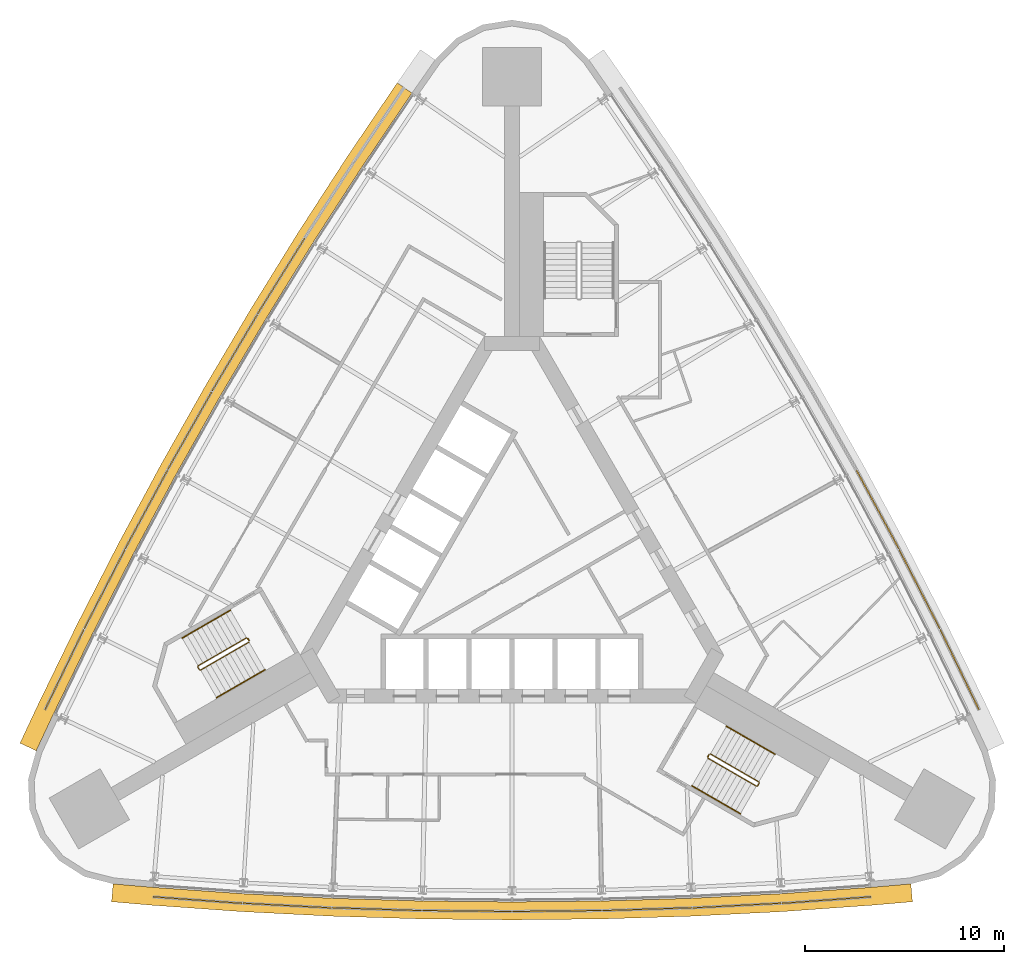
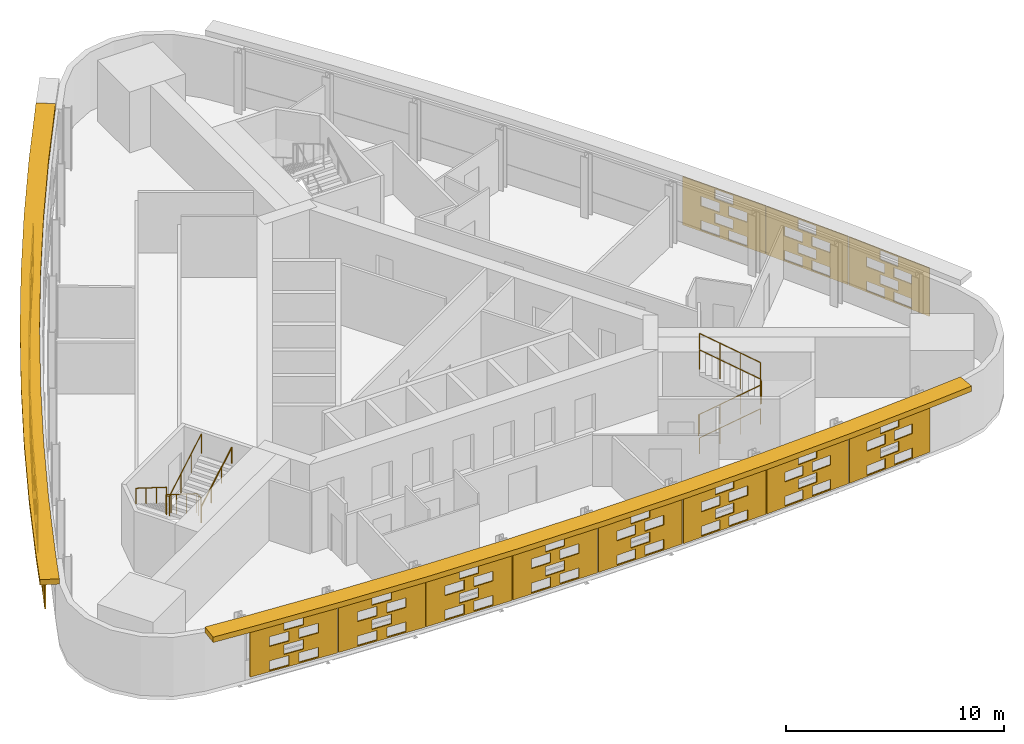
# One storey, part 10 of 11: 19 shading devices, 6 railings.
"""IFC4 building model written with IfcOpenShell, lengths in metres."""

import ifcopenshell
import ifcopenshell.guid

model = None  # the IFC model being written
_history = None  # IfcOwnerHistory: only IFC2X3 demands one
_inside = {}  # id of a spatial element -> (the spatial element, [elements in it])
_under = {}  # id of a project, library or spatial element -> (it, [spatial elements below it])
_declared = {}  # id of a project -> (the project, [libraries it declares])
_typed = {}  # id of a type object -> (the type object, [elements of that type])
_made_of = {}  # id of a material, layer set ... -> (it, [elements and type objects made of it])


def new_model(schema):
    """Start an empty IFC model of exactly this schema.

    Asked for "IFC4X3", IfcOpenShell would pick the latest addendum, in which some entities
    have other attributes; the version numbers below select the first issue.
    IFC2X3 requires an IfcOwnerHistory on every rooted entity: one is made here for all.
    """
    global model, _history
    if schema == "IFC4X3":
        model = ifcopenshell.file(schema_version=(4, 3, 0, 0))
    else:
        model = ifcopenshell.file(schema=schema)
    _inside.clear()
    _under.clear()
    _declared.clear()
    _typed.clear()
    _made_of.clear()
    _history = None
    if model.schema == "IFC2X3":
        org = make("IfcOrganization", Name="unknown")
        user = make(
            "IfcPersonAndOrganization",
            ThePerson=make("IfcPerson", FamilyName="unknown"),
            TheOrganization=org,
        )
        app = make(
            "IfcApplication",
            ApplicationDeveloper=org,
            Version="unknown",
            ApplicationFullName="unknown",
            ApplicationIdentifier="unknown",
        )
        _history = make(
            "IfcOwnerHistory",
            OwningUser=user,
            OwningApplication=app,
            ChangeAction="ADDED",
            CreationDate=0,
        )
    return model


def make(cls, **values):
    """One entity of the class cls with the attributes given. An attribute that is None is left unset."""
    return model.create_entity(
        cls, **{name: value for name, value in values.items() if value is not None}
    )


def rooted(cls, **values):
    """An entity with a GlobalId (a new one), such as an element, a storey or a relation."""
    return make(cls, GlobalId=ifcopenshell.guid.new(), OwnerHistory=_history, **values)


def si_unit(unit_type, name, prefix=None):
    """IfcSIUnit, for example si_unit("LENGTHUNIT", "METRE", prefix="MILLI")."""
    return make("IfcSIUnit", UnitType=unit_type, Prefix=prefix, Name=name)


def assignment(units):
    """IfcUnitAssignment: the units of a project."""
    return None if units is None else make("IfcUnitAssignment", Units=units)


def point(xyz):
    """IfcCartesianPoint."""
    return None if xyz is None else make("IfcCartesianPoint", Coordinates=xyz)


def direction(xyz):
    """IfcDirection."""
    return None if xyz is None else make("IfcDirection", DirectionRatios=xyz)


def frame(location, z_axis=None, x_axis=None):
    """IfcAxis2Placement3D, a coordinate frame: its origin and axes. An axis left out is left unset."""
    return make(
        "IfcAxis2Placement3D",
        Location=point(location),
        Axis=direction(z_axis),
        RefDirection=direction(x_axis),
    )


def frame_2d(location, x_axis=None):
    """IfcAxis2Placement2D, a coordinate frame in the plane: its origin and x axis."""
    return make(
        "IfcAxis2Placement2D", Location=point(location), RefDirection=direction(x_axis)
    )


def origin():
    """The frame at (0, 0, 0) with its axes left unset."""
    return frame((0.0, 0.0, 0.0))


def origin_2d():
    """The frame at (0, 0) in the plane with its x axis left unset."""
    return frame_2d((0.0, 0.0))


def place(relative_to, where):
    """IfcLocalPlacement: puts the frame where relative to a parent placement (None: the world)."""
    return make(
        "IfcLocalPlacement", PlacementRelTo=relative_to, RelativePlacement=where
    )


def context(
    kind, dimensions, precision=None, world=None, true_north=None, identifier=None
):
    """IfcGeometricRepresentationContext, for example the 3D "Model" context."""
    return make(
        "IfcGeometricRepresentationContext",
        ContextIdentifier=identifier,
        ContextType=kind,
        CoordinateSpaceDimension=dimensions,
        Precision=precision,
        WorldCoordinateSystem=world,
        TrueNorth=true_north,
    )


def subcontext(parent, identifier, kind, view, scale=None):
    """IfcGeometricRepresentationSubContext, for example "Body" below "Model"."""
    return make(
        "IfcGeometricRepresentationSubContext",
        ContextIdentifier=identifier,
        ContextType=kind,
        ParentContext=parent,
        TargetScale=scale,
        TargetView=view,
    )


def project(units=None, contexts=None):
    """IfcProject with its units and contexts."""
    return rooted(
        "IfcProject",
        Name="project",
        RepresentationContexts=contexts,
        UnitsInContext=assignment(units),
    )


def spatial(cls, under=None, at=None, **own):
    """A site, building, storey or space (cls), placed at a placement, below another one or the project."""
    s = rooted(cls, ObjectPlacement=at, **own)
    if under is not None:
        _under.setdefault(under.id(), (under, []))[1].append(s)
    return s


def polyline(points):
    """IfcPolyline through the points."""
    return make("IfcPolyline", Points=[point(p) for p in points])


def profile(cls, at=None, kind="AREA", **sizes):
    """A parametric profile (cls). Its sizes go by their IFC names, for example OverallWidth=200.0."""
    return make(cls, ProfileType=kind, Position=at, **sizes)


def circle(**sizes):
    """IfcCircleProfileDef."""
    return profile("IfcCircleProfileDef", **sizes)


def outline(outer, holes=None, kind="AREA"):
    """IfcArbitraryClosedProfileDef: a profile drawn as a closed curve; with holes, ...WithVoids."""
    if holes is None:
        return make("IfcArbitraryClosedProfileDef", ProfileType=kind, OuterCurve=outer)
    return make(
        "IfcArbitraryProfileDefWithVoids",
        ProfileType=kind,
        OuterCurve=outer,
        InnerCurves=holes,
    )


def extrude(swept, where, along, depth):
    """IfcExtrudedAreaSolid: the profile swept, set in the frame where, extruded along a direction by depth."""
    return make(
        "IfcExtrudedAreaSolid",
        SweptArea=swept,
        Position=where,
        ExtrudedDirection=direction(along),
        Depth=depth,
    )


def shape(context_of_items, identifier, shape_type, items):
    """IfcShapeRepresentation: the items that make up one representation, for example the "Body"."""
    return make(
        "IfcShapeRepresentation",
        ContextOfItems=context_of_items,
        RepresentationIdentifier=identifier,
        RepresentationType=shape_type,
        Items=items,
    )


def material(Name=None, Category=None):
    """IfcMaterial."""
    return make("IfcMaterial", Name=Name, Category=Category)


def material_profile(
    of_material, cross_section, Name=None, Category=None, Priority=None
):
    """IfcMaterialProfile: a cross section and its material."""
    return make(
        "IfcMaterialProfile",
        Name=Name,
        Material=of_material,
        Profile=cross_section,
        Priority=Priority,
        Category=Category,
    )


def profile_set(profiles, Name=None, composite=None):
    """IfcMaterialProfileSet."""
    return make(
        "IfcMaterialProfileSet",
        Name=Name,
        MaterialProfiles=profiles,
        CompositeProfile=composite,
    )


def made_of(thing, what):
    """Note that an element or type object is made of a material, layer set ...; save() writes the relation."""
    if what is not None:
        _made_of.setdefault(what.id(), (what, []))[1].append(thing)
    return thing


def type_object(cls, material=None, **own):
    """A type object (cls), such as IfcWallType, which elements share."""
    return made_of(rooted(cls, **own), material)


def element(
    cls,
    number,
    at=None,
    inside=None,
    cuts=None,
    type_object=None,
    material=None,
    context=None,
    identifier="Body",
    shape_type=None,
    held_by="IfcProductDefinitionShape",
    body=None,
    shapes=None,
    **own,
):
    """One element of the class cls, such as IfcWall. Its Tag is "e" and its number.

    at: its placement. inside: the storey or other place that contains it. cuts: it is an
    opening in that element (IfcRelVoidsElement). A single representation is given by context,
    identifier, shape_type and body (its items); several are given by shapes. held_by: the class
    of the entity that holds the representations. save() writes the other relations.
    """
    e = rooted(cls, Tag="e%d" % number, ObjectPlacement=at, **own)
    if body is not None:
        shapes = [shape(context, identifier, shape_type, body)]
    if shapes is not None:
        e.Representation = make(held_by, Representations=shapes)
    if inside is not None:
        _inside.setdefault(inside.id(), (inside, []))[1].append(e)
    if cuts is not None:
        rooted(
            "IfcRelVoidsElement", RelatingBuildingElement=cuts, RelatedOpeningElement=e
        )
    if type_object is not None:
        _typed.setdefault(type_object.id(), (type_object, []))[1].append(e)
    return made_of(e, material)


def aggregate(whole, parts):
    """IfcRelAggregates: a whole, such as a stair, and the parts it consists of."""
    return rooted("IfcRelAggregates", RelatingObject=whole, RelatedObjects=parts)


def save(model, path):
    """Write the relations noted so far, then the file.

    IfcRelAggregates (storeys below a building ...), IfcRelContainedInSpatialStructure (elements
    in a storey), IfcRelDefinesByType, IfcRelAssociatesMaterial and IfcRelDeclares: one each for
    every whole, place, type object, material and project.
    """
    for whole, parts in _under.values():
        aggregate(whole, parts)
    for where, things in _inside.values():
        rooted(
            "IfcRelContainedInSpatialStructure",
            RelatedElements=things,
            RelatingStructure=where,
        )
    for kind, things in _typed.values():
        rooted("IfcRelDefinesByType", RelatedObjects=things, RelatingType=kind)
    for what, things in _made_of.values():
        rooted("IfcRelAssociatesMaterial", RelatedObjects=things, RelatingMaterial=what)
    for by, libraries in _declared.values():
        rooted("IfcRelDeclares", RelatingContext=by, RelatedDefinitions=libraries)
    model.write(path)


model = new_model("IFC4")

# Units and contexts
model_context = context("Model", 3, precision=1e-05, world=origin(), true_north=direction((0.0, 1.0)))
body_context = subcontext(model_context, "Body", "Model", "MODEL_VIEW")
ifc_project = project(units=[si_unit("LENGTHUNIT", "METRE"), si_unit("AREAUNIT", "SQUARE_METRE"), si_unit("VOLUMEUNIT", "CUBIC_METRE"), si_unit("PLANEANGLEUNIT", "RADIAN"), si_unit("MASSUNIT", "GRAM", prefix="KILO")], contexts=[model_context])

# Site, building, storey
site_placement = place(None, origin())
site = spatial("IfcSite", under=ifc_project, at=site_placement, CompositionType="ELEMENT")
building_placement = place(site_placement, origin())
building = spatial("IfcBuilding", under=site, at=building_placement, Name="Noor Cloister Tower", CompositionType="ELEMENT")
storey_placement = place(building_placement, frame((0.0, 0.0, 120.300048828125)))
storey = spatial("IfcBuildingStorey", under=building, at=storey_placement, Name="L31", CompositionType="ELEMENT", Elevation=120.300048828125)

# Shading devices
ifc_material_1 = material(Name="Limestone", Category="masonry")
ifc_material_profile = material_profile(ifc_material_1, outline(polyline([(-2.22998046875, -1.35009765625), (2.22998046875, -1.35009765625), (2.22998046875, 1.35009765625), (-2.22998046875, 1.35009765625), (-2.22998046875, -1.35009765625)]), holes=[polyline([(-1.25, -1.282470703125), (-0.25, -1.282470703125), (-0.25, -0.742431640625), (-1.25, -0.742431640625), (-1.25, -1.282470703125)]), polyline([(0.25, -1.282470703125), (1.25, -1.282470703125), (1.25, -0.742431640625), (0.25, -0.742431640625), (0.25, -1.282470703125)]), polyline([(-0.5, -0.607421875), (0.5, -0.607421875), (0.5, -0.0673828125), (-0.5, -0.0673828125), (-0.5, -0.607421875)]), polyline([(-1.25, 0.0673828125), (-0.25, 0.0673828125), (-0.25, 0.607421875), (-1.25, 0.607421875), (-1.25, 0.0673828125)]), polyline([(0.25, 0.0673828125), (1.25, 0.0673828125), (1.25, 0.607421875), (0.25, 0.607421875), (0.25, 0.0673828125)]), polyline([(-0.5, 0.742431640625), (0.5, 0.742431640625), (0.5, 1.282470703125), (-0.5, 1.282470703125), (-0.5, 0.742431640625)])]), Name="Woven screen 30 percent open")
ifc_profile_set = profile_set([ifc_material_profile], Name="Limestone")
shading_device_type_1 = type_object("IfcShadingDeviceType", Name="SCREEN woven limestone 30 percent open", PredefinedType="USERDEFINED", material=ifc_profile_set)
shading_device_1_placement = place(storey_placement, frame((-11.544677734375, 14.4736328125, 1.849853515625), z_axis=(-0.849137590634, 0.528171707093, 0.0), x_axis=(-0.528171707093, -0.849137590634, 0.0)))
element("IfcShadingDevice", 1, at=shading_device_1_placement, inside=storey, type_object=shading_device_type_1, Name="SCREEN L31 3", ObjectType="SCREEN", PredefinedType="USERDEFINED", context=body_context, shape_type="SweptSolid", body=[
    extrude(outline(polyline([(-2.22998046875, -1.35009765625), (2.22998046875, -1.35009765625), (2.22998046875, 1.35009765625), (-2.22998046875, 1.35009765625), (-2.22998046875, -1.35009765625)]), holes=[polyline([(-1.25, -1.282470703125), (-0.25, -1.282470703125), (-0.25, -0.742431640625), (-1.25, -0.742431640625), (-1.25, -1.282470703125)]), polyline([(0.25, -1.282470703125), (1.25, -1.282470703125), (1.25, -0.742431640625), (0.25, -0.742431640625), (0.25, -1.282470703125)]), polyline([(-0.5, -0.607421875), (0.5, -0.607421875), (0.5, -0.0673828125), (-0.5, -0.0673828125), (-0.5, -0.607421875)]), polyline([(-1.25, 0.0673828125), (-0.25, 0.0673828125), (-0.25, 0.607421875), (-1.25, 0.607421875), (-1.25, 0.0673828125)]), polyline([(0.25, 0.0673828125), (1.25, 0.0673828125), (1.25, 0.607421875), (0.25, 0.607421875), (0.25, 0.0673828125)]), polyline([(-0.5, 0.742431640625), (0.5, 0.742431640625), (0.5, 1.282470703125), (-0.5, 1.282470703125), (-0.5, 0.742431640625)])]), origin(), (0.0, 0.0, 1.0), 0.06005859375),
])
shading_device_2_placement = place(storey_placement, frame((-13.8779296875, 10.615478515625, 1.849853515625), z_axis=(-0.860357760281, 0.50969061628, 0.0), x_axis=(-0.50969061628, -0.860357760281, 0.0)))
element("IfcShadingDevice", 2, at=shading_device_2_placement, inside=storey, type_object=shading_device_type_1, Name="SCREEN L31 4", ObjectType="SCREEN", PredefinedType="USERDEFINED", context=body_context, shape_type="SweptSolid", body=[
    extrude(outline(polyline([(-2.22998046875, -1.35009765625), (2.22998046875, -1.35009765625), (2.22998046875, 1.35009765625), (-2.22998046875, 1.35009765625), (-2.22998046875, -1.35009765625)]), holes=[polyline([(-1.25, -1.282470703125), (-0.25, -1.282470703125), (-0.25, -0.742431640625), (-1.25, -0.742431640625), (-1.25, -1.282470703125)]), polyline([(0.25, -1.282470703125), (1.25, -1.282470703125), (1.25, -0.742431640625), (0.25, -0.742431640625), (0.25, -1.282470703125)]), polyline([(-0.5, -0.607421875), (0.5, -0.607421875), (0.5, -0.0673828125), (-0.5, -0.0673828125), (-0.5, -0.607421875)]), polyline([(-1.25, 0.0673828125), (-0.25, 0.0673828125), (-0.25, 0.607421875), (-1.25, 0.607421875), (-1.25, 0.0673828125)]), polyline([(0.25, 0.0673828125), (1.25, 0.0673828125), (1.25, 0.607421875), (0.25, 0.607421875), (0.25, 0.0673828125)]), polyline([(-0.5, 0.742431640625), (0.5, 0.742431640625), (0.5, 1.282470703125), (-0.5, 1.282470703125), (-0.5, 0.742431640625)])]), origin(), (0.0, 0.0, 1.0), 0.059814453125),
])
shading_device_3_placement = place(storey_placement, frame((-16.13232421875, 6.710693359375, 1.849853515625), z_axis=(-0.87048706901, 0.492191286683, 0.0), x_axis=(-0.492191286683, -0.87048706901, 0.0)))
element("IfcShadingDevice", 3, at=shading_device_3_placement, inside=storey, type_object=shading_device_type_1, Name="SCREEN L31 5", ObjectType="SCREEN", PredefinedType="USERDEFINED", context=body_context, shape_type="SweptSolid", body=[
    extrude(outline(polyline([(-2.22998046875, -1.35009765625), (2.22998046875, -1.35009765625), (2.22998046875, 1.35009765625), (-2.22998046875, 1.35009765625), (-2.22998046875, -1.35009765625)]), holes=[polyline([(-1.25, -1.282470703125), (-0.25, -1.282470703125), (-0.25, -0.742431640625), (-1.25, -0.742431640625), (-1.25, -1.282470703125)]), polyline([(0.25, -1.282470703125), (1.25, -1.282470703125), (1.25, -0.742431640625), (0.25, -0.742431640625), (0.25, -1.282470703125)]), polyline([(-0.5, -0.607421875), (0.5, -0.607421875), (0.5, -0.0673828125), (-0.5, -0.0673828125), (-0.5, -0.607421875)]), polyline([(-1.25, 0.0673828125), (-0.25, 0.0673828125), (-0.25, 0.607421875), (-1.25, 0.607421875), (-1.25, 0.0673828125)]), polyline([(0.25, 0.0673828125), (1.25, 0.0673828125), (1.25, 0.607421875), (0.25, 0.607421875), (0.25, 0.0673828125)]), polyline([(-0.5, 0.742431640625), (0.5, 0.742431640625), (0.5, 1.282470703125), (-0.5, 1.282470703125), (-0.5, 0.742431640625)])]), origin(), (0.0, 0.0, 1.0), 0.06005859375),
])
shading_device_4_placement = place(storey_placement, frame((-18.306884765625, 2.760986328125, 1.849853515625), z_axis=(-0.880210472648, 0.474583526727, 0.0), x_axis=(-0.474583526727, -0.880210472648, 0.0)))
element("IfcShadingDevice", 4, at=shading_device_4_placement, inside=storey, type_object=shading_device_type_1, Name="SCREEN L31 6", ObjectType="SCREEN", PredefinedType="USERDEFINED", context=body_context, shape_type="SweptSolid", body=[
    extrude(outline(polyline([(-2.22998046875, -1.35009765625), (2.22998046875, -1.35009765625), (2.22998046875, 1.35009765625), (-2.22998046875, 1.35009765625), (-2.22998046875, -1.35009765625)]), holes=[polyline([(-1.25, -1.282470703125), (-0.25, -1.282470703125), (-0.25, -0.742431640625), (-1.25, -0.742431640625), (-1.25, -1.282470703125)]), polyline([(0.25, -1.282470703125), (1.25, -1.282470703125), (1.25, -0.742431640625), (0.25, -0.742431640625), (0.25, -1.282470703125)]), polyline([(-0.5, -0.607421875), (0.5, -0.607421875), (0.5, -0.0673828125), (-0.5, -0.0673828125), (-0.5, -0.607421875)]), polyline([(-1.25, 0.0673828125), (-0.25, 0.0673828125), (-0.25, 0.607421875), (-1.25, 0.607421875), (-1.25, 0.0673828125)]), polyline([(0.25, 0.0673828125), (1.25, 0.0673828125), (1.25, 0.607421875), (0.25, 0.607421875), (0.25, 0.0673828125)]), polyline([(-0.5, 0.742431640625), (0.5, 0.742431640625), (0.5, 1.282470703125), (-0.5, 1.282470703125), (-0.5, 0.742431640625)])]), origin(), (0.0, 0.0, 1.0), 0.060302734375),
])
shading_device_5_placement = place(storey_placement, frame((-20.401123046875, -1.23193359375, 1.849853515625), z_axis=(-0.88947737876, 0.456979203766, 0.0), x_axis=(-0.456979203766, -0.88947737876, 0.0)))
element("IfcShadingDevice", 5, at=shading_device_5_placement, inside=storey, type_object=shading_device_type_1, Name="SCREEN L31 7", ObjectType="SCREEN", PredefinedType="USERDEFINED", context=body_context, shape_type="SweptSolid", body=[
    extrude(outline(polyline([(-2.22998046875, -1.35009765625), (2.22998046875, -1.35009765625), (2.22998046875, 1.35009765625), (-2.22998046875, 1.35009765625), (-2.22998046875, -1.35009765625)]), holes=[polyline([(-1.25, -1.282470703125), (-0.25, -1.282470703125), (-0.25, -0.742431640625), (-1.25, -0.742431640625), (-1.25, -1.282470703125)]), polyline([(0.25, -1.282470703125), (1.25, -1.282470703125), (1.25, -0.742431640625), (0.25, -0.742431640625), (0.25, -1.282470703125)]), polyline([(-0.5, -0.607421875), (0.5, -0.607421875), (0.5, -0.0673828125), (-0.5, -0.0673828125), (-0.5, -0.607421875)]), polyline([(-1.25, 0.0673828125), (-0.25, 0.0673828125), (-0.25, 0.607421875), (-1.25, 0.607421875), (-1.25, 0.0673828125)]), polyline([(0.25, 0.0673828125), (1.25, 0.0673828125), (1.25, 0.607421875), (0.25, 0.607421875), (0.25, 0.0673828125)]), polyline([(-0.5, 0.742431640625), (0.5, 0.742431640625), (0.5, 1.282470703125), (-0.5, 1.282470703125), (-0.5, 0.742431640625)])]), origin(), (0.0, 0.0, 1.0), 0.059814453125),
])
for number, where, z_axis, x_axis, name in (
    (6, (-22.41357421875, -5.2666015625, 1.849853515625), (-0.900056208046, 0.435773820185, 0.0), (-0.435773820185, -0.900056208046, 0.0), "SCREEN L31 8"),
    (7, (-15.767822265625, -16.777587890625, 1.849853515625), (-0.073271902152, -0.99731200151, 0.0), (0.99731200151, -0.073271902152, 0.0), "SCREEN L31 1"),
    (8, (-11.267333984375, -17.0517578125, 1.849853515625), (-0.052771893118, -0.998606592857, 0.0), (0.998606592857, -0.052771893118, 0.0), "SCREEN L31 2"),
):
    element("IfcShadingDevice", number, at=place(storey_placement, frame(where, z_axis=z_axis, x_axis=x_axis)), inside=storey, type_object=shading_device_type_1, Name=name, ObjectType="SCREEN", PredefinedType="USERDEFINED", context=body_context, shape_type="SweptSolid", body=[
        extrude(outline(polyline([(-2.22998046875, -1.35009765625), (2.22998046875, -1.35009765625), (2.22998046875, 1.35009765625), (-2.22998046875, 1.35009765625), (-2.22998046875, -1.35009765625)]), holes=[polyline([(-1.25, -1.282470703125), (-0.25, -1.282470703125), (-0.25, -0.742431640625), (-1.25, -0.742431640625), (-1.25, -1.282470703125)]), polyline([(0.25, -1.282470703125), (1.25, -1.282470703125), (1.25, -0.742431640625), (0.25, -0.742431640625), (0.25, -1.282470703125)]), polyline([(-0.5, -0.607421875), (0.5, -0.607421875), (0.5, -0.0673828125), (-0.5, -0.0673828125), (-0.5, -0.607421875)]), polyline([(-1.25, 0.0673828125), (-0.25, 0.0673828125), (-0.25, 0.607421875), (-1.25, 0.607421875), (-1.25, 0.0673828125)]), polyline([(0.25, 0.0673828125), (1.25, 0.0673828125), (1.25, 0.607421875), (0.25, 0.607421875), (0.25, 0.0673828125)]), polyline([(-0.5, 0.742431640625), (0.5, 0.742431640625), (0.5, 1.282470703125), (-0.5, 1.282470703125), (-0.5, 0.742431640625)])]), origin(), (0.0, 0.0, 1.0), 0.06005859375),
    ])
for number, where, z_axis, x_axis, name in (
    (9, (-6.76220703125, -17.23486328125, 1.849853515625), (-0.03263566742, -0.999467314729, 0.0), (0.999467314729, -0.03263566742, 0.0), "SCREEN L31 3"),
    (10, (-2.25439453125, -17.326416015625, 1.849853515625), (-0.012243980078, -0.999925039666, 0.0), (0.999925039666, -0.012243980078, 0.0), "SCREEN L31 4"),
    (11, (2.25439453125, -17.326416015625, 1.849853515625), (0.012243980078, -0.999925039666, 0.0), (0.999925039666, 0.012243980078, 0.0), "SCREEN L31 5"),
    (12, (6.76220703125, -17.23486328125, 1.849853515625), (0.03263566742, -0.999467314729, 0.0), (0.999467314729, 0.03263566742, 0.0), "SCREEN L31 6"),
):
    element("IfcShadingDevice", number, at=place(storey_placement, frame(where, z_axis=z_axis, x_axis=x_axis)), inside=storey, type_object=shading_device_type_1, Name=name, ObjectType="SCREEN", PredefinedType="USERDEFINED", context=body_context, shape_type="SweptSolid", body=[
        extrude(outline(polyline([(-2.22998046875, -1.35009765625), (2.22998046875, -1.35009765625), (2.22998046875, 1.35009765625), (-2.22998046875, 1.35009765625), (-2.22998046875, -1.35009765625)]), holes=[polyline([(-1.25, -1.282470703125), (-0.25, -1.282470703125), (-0.25, -0.742431640625), (-1.25, -0.742431640625), (-1.25, -1.282470703125)]), polyline([(0.25, -1.282470703125), (1.25, -1.282470703125), (1.25, -0.742431640625), (0.25, -0.742431640625), (0.25, -1.282470703125)]), polyline([(-0.5, -0.607421875), (0.5, -0.607421875), (0.5, -0.0673828125), (-0.5, -0.0673828125), (-0.5, -0.607421875)]), polyline([(-1.25, 0.0673828125), (-0.25, 0.0673828125), (-0.25, 0.607421875), (-1.25, 0.607421875), (-1.25, 0.0673828125)]), polyline([(0.25, 0.0673828125), (1.25, 0.0673828125), (1.25, 0.607421875), (0.25, 0.607421875), (0.25, 0.0673828125)]), polyline([(-0.5, 0.742431640625), (0.5, 0.742431640625), (0.5, 1.282470703125), (-0.5, 1.282470703125), (-0.5, 0.742431640625)])]), origin(), (0.0, 0.0, 1.0), 0.059814453125),
    ])
for number, where, z_axis, x_axis, name in (
    (13, (11.267333984375, -17.0517578125, 1.849853515625), (0.052771893118, -0.998606592857, 0.0), (0.998606592857, 0.052771893118, 0.0), "SCREEN L31 7"),
    (14, (15.767822265625, -16.777587890625, 1.849853515625), (0.073271902152, -0.99731200151, 0.0), (0.99731200151, 0.073271902152, 0.0), "SCREEN L31 8"),
    (15, (22.41357421875, -5.2666015625, 1.849853515625), (0.900056208046, 0.435773820185, 0.0), (-0.435773820185, 0.900056208046, 0.0), "SCREEN L31 1"),
):
    element("IfcShadingDevice", number, at=place(storey_placement, frame(where, z_axis=z_axis, x_axis=x_axis)), inside=storey, type_object=shading_device_type_1, Name=name, ObjectType="SCREEN", PredefinedType="USERDEFINED", context=body_context, shape_type="SweptSolid", body=[
        extrude(outline(polyline([(-2.22998046875, -1.35009765625), (2.22998046875, -1.35009765625), (2.22998046875, 1.35009765625), (-2.22998046875, 1.35009765625), (-2.22998046875, -1.35009765625)]), holes=[polyline([(-1.25, -1.282470703125), (-0.25, -1.282470703125), (-0.25, -0.742431640625), (-1.25, -0.742431640625), (-1.25, -1.282470703125)]), polyline([(0.25, -1.282470703125), (1.25, -1.282470703125), (1.25, -0.742431640625), (0.25, -0.742431640625), (0.25, -1.282470703125)]), polyline([(-0.5, -0.607421875), (0.5, -0.607421875), (0.5, -0.0673828125), (-0.5, -0.0673828125), (-0.5, -0.607421875)]), polyline([(-1.25, 0.0673828125), (-0.25, 0.0673828125), (-0.25, 0.607421875), (-1.25, 0.607421875), (-1.25, 0.0673828125)]), polyline([(0.25, 0.0673828125), (1.25, 0.0673828125), (1.25, 0.607421875), (0.25, 0.607421875), (0.25, 0.0673828125)]), polyline([(-0.5, 0.742431640625), (0.5, 0.742431640625), (0.5, 1.282470703125), (-0.5, 1.282470703125), (-0.5, 0.742431640625)])]), origin(), (0.0, 0.0, 1.0), 0.06005859375),
    ])
shading_device_6_placement = place(storey_placement, frame((20.401123046875, -1.23193359375, 1.849853515625), z_axis=(0.88947737876, 0.456979203766, 0.0), x_axis=(-0.456979203766, 0.88947737876, 0.0)))
element("IfcShadingDevice", 16, at=shading_device_6_placement, inside=storey, type_object=shading_device_type_1, Name="SCREEN L31 2", ObjectType="SCREEN", PredefinedType="USERDEFINED", context=body_context, shape_type="SweptSolid", body=[
    extrude(outline(polyline([(-2.22998046875, -1.35009765625), (2.22998046875, -1.35009765625), (2.22998046875, 1.35009765625), (-2.22998046875, 1.35009765625), (-2.22998046875, -1.35009765625)]), holes=[polyline([(-1.25, -1.282470703125), (-0.25, -1.282470703125), (-0.25, -0.742431640625), (-1.25, -0.742431640625), (-1.25, -1.282470703125)]), polyline([(0.25, -1.282470703125), (1.25, -1.282470703125), (1.25, -0.742431640625), (0.25, -0.742431640625), (0.25, -1.282470703125)]), polyline([(-0.5, -0.607421875), (0.5, -0.607421875), (0.5, -0.0673828125), (-0.5, -0.0673828125), (-0.5, -0.607421875)]), polyline([(-1.25, 0.0673828125), (-0.25, 0.0673828125), (-0.25, 0.607421875), (-1.25, 0.607421875), (-1.25, 0.0673828125)]), polyline([(0.25, 0.0673828125), (1.25, 0.0673828125), (1.25, 0.607421875), (0.25, 0.607421875), (0.25, 0.0673828125)]), polyline([(-0.5, 0.742431640625), (0.5, 0.742431640625), (0.5, 1.282470703125), (-0.5, 1.282470703125), (-0.5, 0.742431640625)])]), origin(), (0.0, 0.0, 1.0), 0.059814453125),
])
shading_device_7_placement = place(storey_placement, frame((18.306884765625, 2.760986328125, 1.849853515625), z_axis=(0.880210472648, 0.474583526727, 0.0), x_axis=(-0.474583526727, 0.880210472648, 0.0)))
element("IfcShadingDevice", 17, at=shading_device_7_placement, inside=storey, type_object=shading_device_type_1, Name="SCREEN L31 3", ObjectType="SCREEN", PredefinedType="USERDEFINED", context=body_context, shape_type="SweptSolid", body=[
    extrude(outline(polyline([(-2.22998046875, -1.35009765625), (2.22998046875, -1.35009765625), (2.22998046875, 1.35009765625), (-2.22998046875, 1.35009765625), (-2.22998046875, -1.35009765625)]), holes=[polyline([(-1.25, -1.282470703125), (-0.25, -1.282470703125), (-0.25, -0.742431640625), (-1.25, -0.742431640625), (-1.25, -1.282470703125)]), polyline([(0.25, -1.282470703125), (1.25, -1.282470703125), (1.25, -0.742431640625), (0.25, -0.742431640625), (0.25, -1.282470703125)]), polyline([(-0.5, -0.607421875), (0.5, -0.607421875), (0.5, -0.0673828125), (-0.5, -0.0673828125), (-0.5, -0.607421875)]), polyline([(-1.25, 0.0673828125), (-0.25, 0.0673828125), (-0.25, 0.607421875), (-1.25, 0.607421875), (-1.25, 0.0673828125)]), polyline([(0.25, 0.0673828125), (1.25, 0.0673828125), (1.25, 0.607421875), (0.25, 0.607421875), (0.25, 0.0673828125)]), polyline([(-0.5, 0.742431640625), (0.5, 0.742431640625), (0.5, 1.282470703125), (-0.5, 1.282470703125), (-0.5, 0.742431640625)])]), origin(), (0.0, 0.0, 1.0), 0.060302734375),
])
ifc_material_2 = material(Name="Limestone", Category="masonry")
shading_device_type_2 = type_object("IfcShadingDeviceType", Name="SUNSHADE limestone band 900", PredefinedType="USERDEFINED", material=ifc_material_2)
shading_device_8_placement = place(storey_placement, frame((0.0, 0.0, 3.300048828125)))
element("IfcShadingDevice", 18, at=shading_device_8_placement, inside=storey, type_object=shading_device_type_2, Name="SUNSHADE L31 1", ObjectType="SUNSHADE", PredefinedType="USERDEFINED", context=body_context, shape_type="SweptSolid", body=[
    extrude(outline(polyline([(-5.758056640625, 24.159912109375), (-8.2841796875, 20.4248046875), (-10.73876953125, 16.631591796875), (-13.115966796875, 12.789306640625), (-15.41455078125, 8.899658203125), (-17.6337890625, 4.964111328125), (-19.772705078125, 0.984130859375), (-21.83056640625, -3.0380859375), (-23.80517578125, -7.099365234375), (-24.666748046875, -8.93994140625), (-23.851806640625, -9.321533203125), (-22.992919921875, -7.48681640625), (-21.025146484375, -3.43994140625), (-18.9755859375, 0.566162109375), (-16.845458984375, 4.52978515625), (-14.635009765625, 8.449462890625), (-12.345703125, 12.323486328125), (-9.978271484375, 16.150390625), (-7.533447265625, 19.92822265625), (-5.0126953125, 23.65576171875), (-5.758056640625, 24.159912109375)])), origin(), (0.0, 0.0, 1.0), 0.2998046875),
])
shading_device_9_placement = place(storey_placement, frame((0.0, 0.0, 3.300048828125)))
element("IfcShadingDevice", 19, at=shading_device_9_placement, inside=storey, type_object=shading_device_type_2, Name="SUNSHADE L31 2", ObjectType="SUNSHADE", PredefinedType="USERDEFINED", context=body_context, shape_type="SweptSolid", body=[
    extrude(outline(polyline([(-20.07568359375, -16.89208984375), (-18.05078125, -17.066162109375), (-13.54638671875, -17.38671875), (-9.033935546875, -17.61572265625), (-4.51806640625, -17.75341796875), (0.0, -17.79931640625), (4.51806640625, -17.75341796875), (9.033935546875, -17.61572265625), (13.54638671875, -17.38671875), (18.05078125, -17.066162109375), (20.07568359375, -16.89208984375), (19.99853515625, -15.995361328125), (17.980224609375, -16.1689453125), (13.49169921875, -16.48828125), (8.99755859375, -16.716552734375), (4.499755859375, -16.853515625), (0.0, -16.899169921875), (-4.499755859375, -16.853515625), (-8.99755859375, -16.716552734375), (-13.49169921875, -16.48828125), (-17.980224609375, -16.1689453125), (-19.99853515625, -15.995361328125), (-20.07568359375, -16.89208984375)])), origin(), (0.0, 0.0, 1.0), 0.2998046875),
])

# Railings
ifc_material_3 = material(Name="Stainless steel", Category="steel")
railing_type_1 = type_object("IfcRailingType", Name="Stair guard 1100", PredefinedType="GUARDRAIL", material=ifc_material_3)
railing_1_placement = place(storey_placement, frame((-13.241455078125, -3.677734375, 0.0)))
element("IfcRailing", 20, at=railing_1_placement, inside=storey, type_object=railing_type_1, Name="Stair guard ST2 L31", PredefinedType="GUARDRAIL", context=body_context, shape_type="SweptSolid", body=[
    extrude(circle(Radius=0.02392578125, at=origin_2d()), frame((0.0, 0.0, 1.076171875), z_axis=(0.499112439033, -0.866537231285, 0.0), x_axis=(0.866537231285, 0.499112439033, 0.0)), (0.0, 0.0, 1.0), 0.150146484375),
    extrude(circle(Radius=0.02392578125, at=origin_2d()), frame((0.074951171875, -0.130126953125, 1.076171875), z_axis=(-0.544565797804, 0.563119998752, 0.621565731736), x_axis=(-0.718850276695, -0.695164929852, 0.0)), (0.0, 0.0, 1.0), 0.26318359375),
    extrude(circle(Radius=0.02392578125, at=origin_2d()), frame((-0.068359375, 0.01806640625, 1.23974609375), z_axis=(-0.747689811644, -0.431660630283, 0.504607813879), x_axis=(0.49998411664, -0.866034573852, 0.0)), (0.0, 0.0, 1.0), 3.2431640625),
    extrude(circle(Radius=0.02392578125, at=origin_2d()), frame((-2.4931640625, -1.3818359375, 2.8759765625), z_axis=(-0.258736085224, -0.965948051503, 0.0), x_axis=(0.965948051503, -0.258736085224, 0.0)), (0.0, 0.0, 1.0), 0.07080078125),
    extrude(circle(Radius=0.02392578125, at=origin_2d()), frame((-2.511474609375, -1.4501953125, 2.8759765625), z_axis=(0.499816412211, -0.866131372301, 0.0), x_axis=(0.866131372301, 0.499816412211, 0.0)), (0.0, 0.0, 1.0), 0.14990234375),
    extrude(circle(Radius=0.02392578125, at=origin_2d()), frame((-2.4365234375, -1.580078125, 2.8759765625), z_axis=(0.383552647116, -0.102737316192, 0.917786691313), x_axis=(0.258736085224, 0.965948051503, 0.0)), (0.0, 0.0, 1.0), 0.17822265625),
    extrude(circle(Radius=0.02392578125, at=origin_2d()), frame((-2.3681640625, -1.598388671875, 3.03955078125), z_axis=(0.747693913401, 0.431738279637, 0.504535300807), x_axis=(-0.500049511043, 0.865996816683, 0.0)), (0.0, 0.0, 1.0), 3.2431640625),
    extrude(circle(Radius=0.02099609375, at=origin_2d()), origin(), (0.0, 0.0, 1.0), 1.052001953125),
    extrude(circle(Radius=0.02099609375, at=origin_2d()), frame((0.074951171875, -0.130126953125, 0.0)), (0.0, 0.0, 1.0), 1.052001953125),
    extrude(circle(Radius=0.02099609375, at=origin_2d()), frame((-0.068359375, 0.01806640625, 0.16357421875)), (0.0, 0.0, 1.0), 1.052001953125),
    extrude(circle(Radius=0.02099609375, at=origin_2d()), frame((-0.876708984375, -0.448486328125, 0.708984375)), (0.0, 0.0, 1.0), 1.052001953125),
    extrude(circle(Radius=0.02099609375, at=origin_2d()), frame((-1.684814453125, -0.915283203125, 1.254638671875)), (0.0, 0.0, 1.0), 1.052001953125),
    extrude(circle(Radius=0.02099609375, at=origin_2d()), frame((-2.4931640625, -1.3818359375, 1.800048828125)), (0.0, 0.0, 1.0), 1.052001953125),
    extrude(circle(Radius=0.02099609375, at=origin_2d()), frame((-2.511474609375, -1.4501953125, 1.800048828125)), (0.0, 0.0, 1.0), 1.052001953125),
    extrude(circle(Radius=0.02099609375, at=origin_2d()), frame((-2.4365234375, -1.580078125, 1.800048828125)), (0.0, 0.0, 1.0), 1.052001953125),
    extrude(circle(Radius=0.02099609375, at=origin_2d()), frame((-2.3681640625, -1.598388671875, 1.963623046875)), (0.0, 0.0, 1.0), 1.052001953125),
    extrude(circle(Radius=0.02099609375, at=origin_2d()), frame((-1.559814453125, -1.131591796875, 2.509033203125)), (0.0, 0.0, 1.0), 1.052001953125),
    extrude(circle(Radius=0.02099609375, at=origin_2d()), frame((-0.751708984375, -0.6650390625, 3.054443359375)), (0.0, 0.0, 1.0), 1.052001953125),
    extrude(circle(Radius=0.02099609375, at=origin_2d()), frame((0.056640625, -0.1982421875, 3.599853515625)), (0.0, 0.0, 1.0), 1.052001953125),
])
railing_2_placement = place(storey_placement, frame((9.805908203125, -9.628662109375, 0.0)))
element("IfcRailing", 21, at=railing_2_placement, inside=storey, type_object=railing_type_1, Name="Stair guard ST3 L31", PredefinedType="GUARDRAIL", context=body_context, shape_type="SweptSolid", body=[
    extrude(circle(Radius=0.02392578125, at=origin_2d()), frame((0.0, 0.0, 1.076171875), z_axis=(0.499112439033, 0.866537231285, 0.0), x_axis=(-0.866537231285, 0.499112439033, 0.0)), (0.0, 0.0, 1.0), 0.150146484375),
    extrude(circle(Radius=0.02392578125, at=origin_2d()), frame((0.074951171875, 0.130126953125, 1.076171875), z_axis=(-0.215214839654, -0.753251938789, 0.621525614518), x_axis=(0.961523947641, -0.274721127897, 0.0)), (0.0, 0.0, 1.0), 0.26318359375),
    extrude(circle(Radius=0.02392578125, at=origin_2d()), frame((0.018310546875, -0.068115234375, 1.23974609375), z_axis=(0.747665513933, -0.431721881032, 0.504591415616), x_axis=(0.500049511043, 0.865996816683, 0.0)), (0.0, 0.0, 1.0), 3.2431640625),
    extrude(circle(Radius=0.02392578125, at=origin_2d()), frame((2.443115234375, -1.46826171875, 2.8759765625), z_axis=(0.965948051503, 0.258736085224, 0.0), x_axis=(-0.258736085224, 0.965948051503, 0.0)), (0.0, 0.0, 1.0), 0.07080078125),
    extrude(circle(Radius=0.02392578125, at=origin_2d()), frame((2.511474609375, -1.449951171875, 2.8759765625), z_axis=(0.499816412211, 0.866131372301, 0.0), x_axis=(-0.866131372301, 0.499816412211, 0.0)), (0.0, 0.0, 1.0), 0.14990234375),
    extrude(circle(Radius=0.02392578125, at=origin_2d()), frame((2.58642578125, -1.320068359375, 2.8759765625), z_axis=(-0.102737316192, 0.383552647116, 0.917786691313), x_axis=(-0.965948051503, -0.258736085224, 0.0)), (0.0, 0.0, 1.0), 0.17822265625),
    extrude(circle(Radius=0.02392578125, at=origin_2d()), frame((2.568115234375, -1.251708984375, 3.03955078125), z_axis=(-0.74771821388, 0.431677027627, 0.504551698492), x_axis=(-0.49998411664, -0.866034573852, 0.0)), (0.0, 0.0, 1.0), 3.242919921875),
    extrude(circle(Radius=0.02099609375, at=origin_2d()), origin(), (0.0, 0.0, 1.0), 1.052001953125),
    extrude(circle(Radius=0.02099609375, at=origin_2d()), frame((0.074951171875, 0.130126953125, 0.0)), (0.0, 0.0, 1.0), 1.052001953125),
    extrude(circle(Radius=0.02099609375, at=origin_2d()), frame((0.018310546875, -0.068115234375, 0.16357421875)), (0.0, 0.0, 1.0), 1.052001953125),
    extrude(circle(Radius=0.02099609375, at=origin_2d()), frame((0.82666015625, -0.534912109375, 0.708984375)), (0.0, 0.0, 1.0), 1.052001953125),
    extrude(circle(Radius=0.02099609375, at=origin_2d()), frame((1.634765625, -1.00146484375, 1.254638671875)), (0.0, 0.0, 1.0), 1.052001953125),
    extrude(circle(Radius=0.02099609375, at=origin_2d()), frame((2.443115234375, -1.46826171875, 1.800048828125)), (0.0, 0.0, 1.0), 1.052001953125),
    extrude(circle(Radius=0.02099609375, at=origin_2d()), frame((2.511474609375, -1.449951171875, 1.800048828125)), (0.0, 0.0, 1.0), 1.052001953125),
    extrude(circle(Radius=0.02099609375, at=origin_2d()), frame((2.58642578125, -1.320068359375, 1.800048828125)), (0.0, 0.0, 1.0), 1.052001953125),
    extrude(circle(Radius=0.02099609375, at=origin_2d()), frame((2.568115234375, -1.251708984375, 1.963623046875)), (0.0, 0.0, 1.0), 1.052001953125),
    extrude(circle(Radius=0.02099609375, at=origin_2d()), frame((1.759765625, -0.78515625, 2.509033203125)), (0.0, 0.0, 1.0), 1.052001953125),
    extrude(circle(Radius=0.02099609375, at=origin_2d()), frame((0.95166015625, -0.318359375, 3.054443359375)), (0.0, 0.0, 1.0), 1.052001953125),
    extrude(circle(Radius=0.02099609375, at=origin_2d()), frame((0.143310546875, 0.148193359375, 3.599853515625)), (0.0, 0.0, 1.0), 1.052001953125),
])
ifc_material_4 = material(Name="Stainless steel", Category="steel")
railing_type_2 = type_object("IfcRailingType", Name="Stair handrail 900", PredefinedType="HANDRAIL", material=ifc_material_4)
railing_3_placement = place(storey_placement, frame((-14.10986328125, -2.27392578125, 0.16357421875)))
element("IfcRailing", 22, at=railing_3_placement, inside=storey, type_object=railing_type_2, Name="Stair handrail ST2 L31 1", PredefinedType="HANDRAIL", context=body_context, shape_type="SweptSolid", body=[
    extrude(circle(Radius=0.02392578125, at=origin_2d()), frame((0.0, 0.0, 0.8759765625), z_axis=(-0.747689811644, -0.431660630283, 0.504607813879), x_axis=(0.49998411664, -0.866034573852, 0.0)), (0.0, 0.0, 1.0), 3.2431640625),
    extrude(circle(Radius=0.02099609375, at=origin_2d()), origin(), (0.0, 0.0, 1.0), 0.851806640625),
    extrude(circle(Radius=0.02099609375, at=origin_2d()), frame((-0.808349609375, -0.466552734375, 0.54541015625)), (0.0, 0.0, 1.0), 0.851806640625),
    extrude(circle(Radius=0.02099609375, at=origin_2d()), frame((-1.616455078125, -0.933349609375, 1.091064453125)), (0.0, 0.0, 1.0), 0.851806640625),
    extrude(circle(Radius=0.02099609375, at=origin_2d()), frame((-2.4248046875, -1.39990234375, 1.636474609375)), (0.0, 0.0, 1.0), 0.851806640625),
])
railing_4_placement = place(storey_placement, frame((-14.8095703125, -6.66162109375, 1.963623046875)))
element("IfcRailing", 23, at=railing_4_placement, inside=storey, type_object=railing_type_2, Name="Stair handrail ST2 L31 2", PredefinedType="HANDRAIL", context=body_context, shape_type="SweptSolid", body=[
    extrude(circle(Radius=0.02392578125, at=origin_2d()), frame((0.0, 0.0, 0.8759765625), z_axis=(0.74771821388, 0.431677027627, 0.504551698492), x_axis=(-0.49998411664, 0.866034573852, 0.0)), (0.0, 0.0, 1.0), 3.242919921875),
    extrude(circle(Radius=0.02099609375, at=origin_2d()), origin(), (0.0, 0.0, 1.0), 0.851806640625),
    extrude(circle(Radius=0.02099609375, at=origin_2d()), frame((0.808349609375, 0.466552734375, 0.54541015625)), (0.0, 0.0, 1.0), 0.851806640625),
    extrude(circle(Radius=0.02099609375, at=origin_2d()), frame((1.616455078125, 0.933349609375, 1.0908203125)), (0.0, 0.0, 1.0), 0.851806640625),
    extrude(circle(Radius=0.02099609375, at=origin_2d()), frame((2.4248046875, 1.39990234375, 1.63623046875)), (0.0, 0.0, 1.0), 0.851806640625),
])
railing_5_placement = place(storey_placement, frame((9.024169921875, -11.08251953125, 0.16357421875)))
element("IfcRailing", 24, at=railing_5_placement, inside=storey, type_object=railing_type_2, Name="Stair handrail ST3 L31 1", PredefinedType="HANDRAIL", context=body_context, shape_type="SweptSolid", body=[
    extrude(circle(Radius=0.02392578125, at=origin_2d()), frame((0.0, 0.0, 0.8759765625), z_axis=(0.747689811644, -0.431660630283, 0.504607813879), x_axis=(0.49998411664, 0.866034573852, 0.0)), (0.0, 0.0, 1.0), 3.2431640625),
    extrude(circle(Radius=0.02099609375, at=origin_2d()), origin(), (0.0, 0.0, 1.0), 0.851806640625),
    extrude(circle(Radius=0.02099609375, at=origin_2d()), frame((0.808349609375, -0.466552734375, 0.54541015625)), (0.0, 0.0, 1.0), 0.851806640625),
    extrude(circle(Radius=0.02099609375, at=origin_2d()), frame((1.616455078125, -0.933349609375, 1.091064453125)), (0.0, 0.0, 1.0), 0.851806640625),
    extrude(circle(Radius=0.02099609375, at=origin_2d()), frame((2.4248046875, -1.39990234375, 1.636474609375)), (0.0, 0.0, 1.0), 0.851806640625),
])
railing_6_placement = place(storey_placement, frame((13.174072265625, -9.49462890625, 1.963623046875)))
element("IfcRailing", 25, at=railing_6_placement, inside=storey, type_object=railing_type_2, Name="Stair handrail ST3 L31 2", PredefinedType="HANDRAIL", context=body_context, shape_type="SweptSolid", body=[
    extrude(circle(Radius=0.02392578125, at=origin_2d()), frame((0.0, 0.0, 0.8759765625), z_axis=(-0.74771821388, 0.431677027627, 0.504551698492), x_axis=(-0.49998411664, -0.866034573852, 0.0)), (0.0, 0.0, 1.0), 3.242919921875),
    extrude(circle(Radius=0.02099609375, at=origin_2d()), origin(), (0.0, 0.0, 1.0), 0.851806640625),
    extrude(circle(Radius=0.02099609375, at=origin_2d()), frame((-0.808349609375, 0.466552734375, 0.54541015625)), (0.0, 0.0, 1.0), 0.851806640625),
    extrude(circle(Radius=0.02099609375, at=origin_2d()), frame((-1.616455078125, 0.933349609375, 1.0908203125)), (0.0, 0.0, 1.0), 0.851806640625),
    extrude(circle(Radius=0.02099609375, at=origin_2d()), frame((-2.4248046875, 1.39990234375, 1.63623046875)), (0.0, 0.0, 1.0), 0.851806640625),
])

save(model, "model.ifc")
